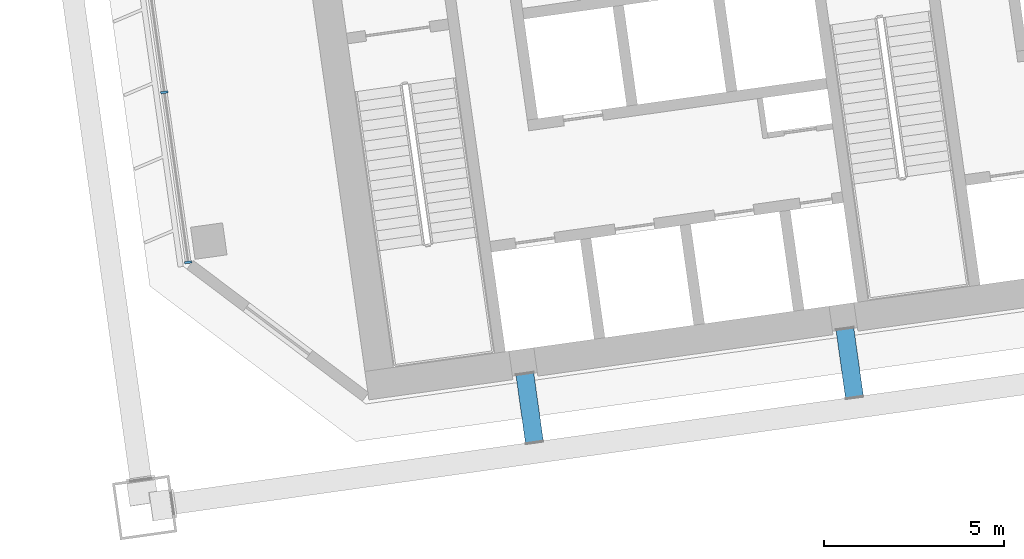
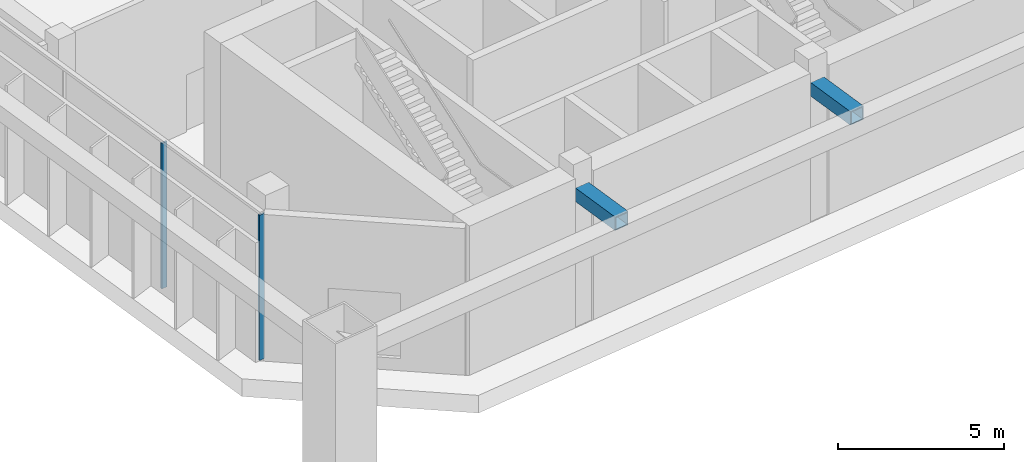
# One storey, part 10 of 41: 4 members, 1 element without a shape of its own.
"""IFC4 building model written with IfcOpenShell, lengths in metres."""

from ifc_helpers import new_model, si_unit, direction, frame, origin, origin_2d, place, context, subcontext, project, spatial, rectangle, hollow_rectangle, extrude, material, material_profile, profile_set, type_object, element, aggregate, save


model = new_model("IFC4")

# Units and contexts
model_context = context("Model", 3, precision=1e-05, world=origin(), true_north=direction((0.0, 1.0)))
body_context = subcontext(model_context, "Body", "Model", "MODEL_VIEW")
ifc_project = project(units=[si_unit("LENGTHUNIT", "METRE"), si_unit("AREAUNIT", "SQUARE_METRE"), si_unit("VOLUMEUNIT", "CUBIC_METRE"), si_unit("PLANEANGLEUNIT", "RADIAN"), si_unit("MASSUNIT", "GRAM", prefix="KILO")], contexts=[model_context])

# Site, building, storey
site_placement = place(None, origin())
site = spatial("IfcSite", under=ifc_project, at=site_placement, CompositionType="ELEMENT")
building_placement = place(site_placement, origin())
building = spatial("IfcBuilding", under=site, at=building_placement, Name="Mirante Cascada Hotel Towers", CompositionType="ELEMENT")
storey_placement = place(building_placement, frame((0.0, 0.0, 92.7)))
storey = spatial("IfcBuildingStorey", under=building, at=storey_placement, Name="L20", CompositionType="ELEMENT", Elevation=92.7)

# Members
ifc_material_1 = material(Name="Steel ASTM A572 Gr 50", Category="steel")
ifc_material_profile_1 = material_profile(ifc_material_1, hollow_rectangle(XDim=0.5, YDim=0.5, WallThickness=0.035, at=origin_2d()), Name="Box tie 500x500x35 ASTM A572 Gr 50")
ifc_profile_set_1 = profile_set([ifc_material_profile_1], Name="Steel ASTM A572 Gr 50")
member_type_1 = type_object("IfcMemberType", Name="Box tie 500x500x35 ASTM A572 Gr 50", PredefinedType="STRUT", material=ifc_profile_set_1)
for number, where, z_axis, x_axis, name in (
    (1, (41.5261, -19.3447, 4.85), (0.1391766, -0.9902676, 0.0), (0.9902676, 0.1391766, 0.0), "tie T2 L20 2"),
    (2, (50.4385, -18.0921, 4.85), (0.1391766, -0.9902676, 0.0), (0.9902676, 0.1391766, 0.0), "tie T2 L20 4"),
):
    element("IfcMember", number, at=place(storey_placement, frame(where, z_axis=z_axis, x_axis=x_axis)), inside=storey, type_object=member_type_1, Name=name, PredefinedType="STRUT", context=body_context, shape_type="SweptSolid", body=[
        extrude(hollow_rectangle(XDim=0.5, YDim=0.5, WallThickness=0.035, at=origin_2d()), origin(), (0.0, 0.0, 1.0), 1.94),
    ])

# Curtain wall, members
ifc_material_2 = material(Name="Aluminium mullion and transom frame with clear laminated glass", Category="aluminium")
curtain_wall_type = type_object("IfcCurtainWallType", Name="End ribbon curtain wall ECW2", PredefinedType="NOTDEFINED", material=ifc_material_2)
curtain_wall_placement = place(storey_placement, origin())
curtain_wall = element("IfcCurtainWall", 3, at=curtain_wall_placement, inside=storey, type_object=curtain_wall_type, Name="Inner end wall T2 L20", PredefinedType="NOTDEFINED")
ifc_material_3 = material(Name="Anodised aluminium extrusion", Category="aluminium")
ifc_material_profile_2 = material_profile(ifc_material_3, rectangle(XDim=0.2, YDim=0.065, at=origin_2d()), Name="ECW2 MULLION 65x200")
ifc_profile_set_2 = profile_set([ifc_material_profile_2], Name="Anodised aluminium extrusion")
member_type_2 = type_object("IfcMemberType", Name="ECW2 mullion 65x200", PredefinedType="MULLION", material=ifc_profile_set_2)
member_1_placement = place(storey_placement, frame((31.4881, -11.5107, 0.1), z_axis=(0.0, 0.0, 1.0), x_axis=(0.9902681, 0.1391731, 0.0)))
member_1 = element("IfcMember", 4, at=member_1_placement, type_object=member_type_2, Name="ECW2 mullion 6", PredefinedType="MULLION", context=body_context, shape_type="SweptSolid", body=[
    extrude(rectangle(XDim=0.2, YDim=0.065, at=origin_2d()), origin(), (0.0, 0.0, 1.0), 5.35),
])
member_2_placement = place(storey_placement, frame((32.1534, -16.2443, 0.1), z_axis=(0.0, 0.0, 1.0), x_axis=(0.9902681, 0.1391731, 0.0)))
member_2 = element("IfcMember", 5, at=member_2_placement, type_object=member_type_2, Name="ECW2 mullion 7", PredefinedType="MULLION", context=body_context, shape_type="SweptSolid", body=[
    extrude(rectangle(XDim=0.2, YDim=0.065, at=origin_2d()), origin(), (0.0, 0.0, 1.0), 5.35),
])
aggregate(curtain_wall, [member_1, member_2])

save(model, "model.ifc")
